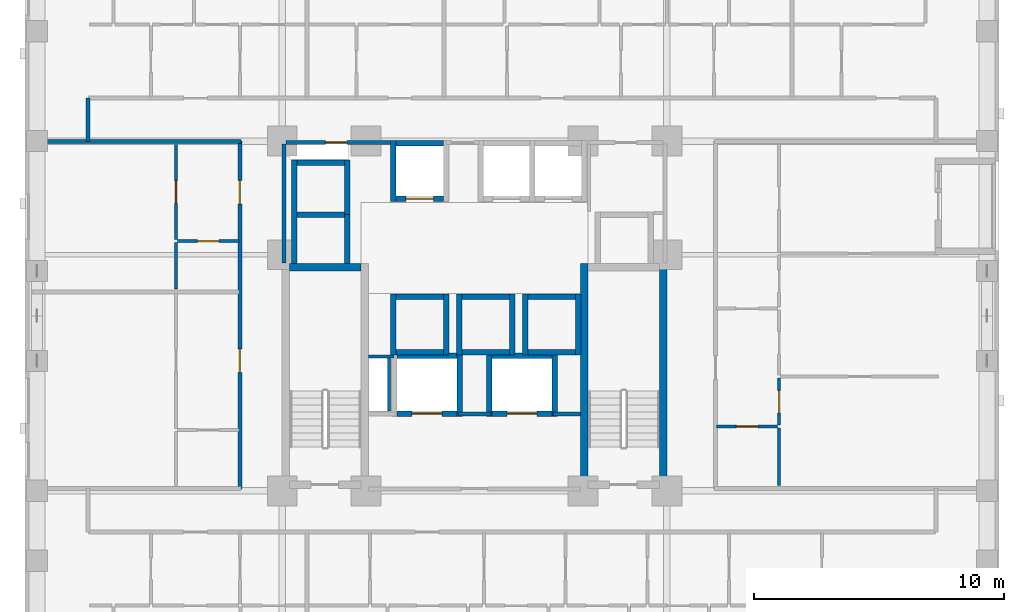
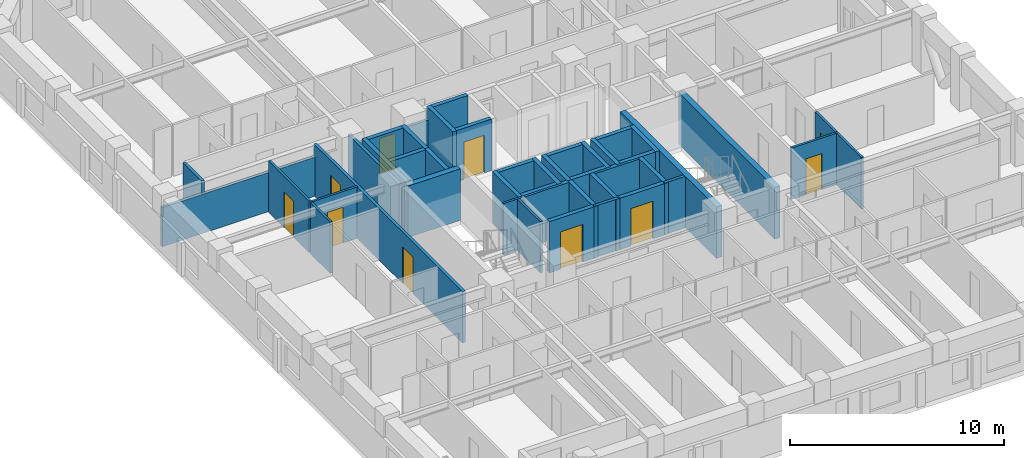
# One storey, part 5 of 14: 45 walls, 10 doors, 10 openings.
"""IFC4 building model written with IfcOpenShell, lengths in metres."""

from ifc_helpers import new_model, si_unit, derived_unit, direction, frame, frame_2d, origin, place, context, subcontext, project, spatial, rectangle, extrude, material, layer, layer_set, type_object, element, fill, save


model = new_model("IFC4")

# Units and contexts
model_context = context("Model", 3, precision=1e-05, world=origin(), true_north=direction((0.0, 1.0)))
body_context = subcontext(model_context, "Body", "Model", "MODEL_VIEW")
ifc_project = project(units=[si_unit("LENGTHUNIT", "METRE"), si_unit("AREAUNIT", "SQUARE_METRE"), si_unit("VOLUMEUNIT", "CUBIC_METRE"), si_unit("PLANEANGLEUNIT", "RADIAN"), si_unit("MASSUNIT", "GRAM", prefix="KILO"), derived_unit("THERMALTRANSMITTANCEUNIT", [(si_unit("MASSUNIT", "GRAM", prefix="KILO"), 1), (si_unit("TIMEUNIT", "SECOND"), -3), (si_unit("THERMODYNAMICTEMPERATUREUNIT", "KELVIN"), -1)])], contexts=[model_context])

# Site, building, storey
site_placement = place(None, origin())
site = spatial("IfcSite", under=ifc_project, at=site_placement, CompositionType="ELEMENT")
building_placement = place(site_placement, origin())
building = spatial("IfcBuilding", under=site, at=building_placement, Name="Korrvale Station Residences", CompositionType="ELEMENT")
storey_placement = place(building_placement, frame((0.0, 0.0, 64.199951171875)))
storey = spatial("IfcBuildingStorey", under=building, at=storey_placement, Name="L17", CompositionType="ELEMENT", Elevation=64.199951171875)

# Walls
ifc_material_1 = material(Name="Concrete C70/85", Category="concrete")
ifc_layer_1 = layer(ifc_material_1, 0.300048828125, Name="Concrete C70/85")
ifc_layer_set_1 = layer_set([ifc_layer_1], Name="Concrete C70/85")
wall_type_1 = type_object("IfcWallType", Name="WAL-CORE-300-C70", PredefinedType="SHEAR", material=ifc_layer_set_1)
wall_1_placement = place(storey_placement, frame((18.10009765625, 23.949951171875, 0.0), z_axis=(0.0, 0.0, 1.0), x_axis=(1.0, 0.0, 0.0)))
element("IfcWall", 1, at=wall_1_placement, inside=storey, type_object=wall_type_1, Name="L17 ST-1 Core Shear Wall North", PredefinedType="SHEAR", context=body_context, shape_type="SweptSolid", body=[
    extrude(rectangle(XDim=2.849853515625, YDim=0.300048828125, at=frame_2d((1.4248046875, 0.0))), origin(), (0.0, 0.0, 1.0), 2.93994140625),
])
for number, where, z_axis, x_axis, name in (
    (2, (29.89990234375, 15.10009765625, 0.0), (0.0, 0.0, 1.0), (0.0, 1.0, 0.0), "L17 ST-2 Core Shear Wall West"),
    (3, (33.050048828125, 15.10009765625, 0.0), (0.0, 0.0, 1.0), (0.0, 1.0, 0.0), "L17 ST-2 Core Shear Wall East"),
):
    element("IfcWall", number, at=place(storey_placement, frame(where, z_axis=z_axis, x_axis=x_axis)), inside=storey, type_object=wall_type_1, Name=name, PredefinedType="SHEAR", context=body_context, shape_type="SweptSolid", body=[
        extrude(rectangle(XDim=9.0, YDim=0.300048828125, at=frame_2d((4.5, 0.0))), origin(), (0.0, 0.0, 1.0), 2.93994140625),
    ])
ifc_material_2 = material(Name="Acoustic steel-stud gypsum board partition", Category="steel")
ifc_layer_2 = layer(ifc_material_2, 0.1201171875, Name="Acoustic steel-stud gypsum board partition")
ifc_layer_set_2 = layer_set([ifc_layer_2], Name="Acoustic steel-stud gypsum board partition")
wall_type_2 = type_object("IfcWallType", Name="WAL-PART-125", PredefinedType="PARTITIONING", material=ifc_layer_set_2)
wall_2_placement = place(storey_placement, frame((22.080078125, 18.199951171875, 0.0), z_axis=(0.0, 0.0, 1.0), x_axis=(0.0, 1.0, 0.0)))
element("IfcWall", 4, at=wall_2_placement, inside=storey, type_object=wall_type_2, Name="L17 Core Partition CW-RSWT", PredefinedType="PARTITIONING", context=body_context, shape_type="SweptSolid", body=[
    extrude(rectangle(XDim=2.1201171875, YDim=0.1201171875, at=frame_2d((1.06005859375, 0.0))), origin(), (0.0, 0.0, 1.0), 2.93994140625),
])
wall_3_placement = place(storey_placement, frame((22.280029296875, 20.3798828125, 0.0), z_axis=(0.0, 0.0, 1.0), x_axis=(-1.0, 0.0, 0.0)))
element("IfcWall", 5, at=wall_3_placement, inside=storey, type_object=wall_type_2, Name="L17 Core Partition CW-RSWT-N", PredefinedType="PARTITIONING", context=body_context, shape_type="SweptSolid", body=[
    extrude(rectangle(XDim=1.02001953125, YDim=0.1201171875, at=frame_2d((0.510009765625, 0.0))), origin(), (0.0, 0.0, 1.0), 2.93994140625),
])

# Wall, opening, door
wall_4_placement = place(storey_placement, frame((13.610107421875, 24.991943359375, 0.0), z_axis=(0.0, 0.0, 1.0), x_axis=(1.0, 0.0, 0.0)))
wall_4 = element("IfcWall", 6, at=wall_4_placement, inside=storey, type_object=wall_type_2, Name="L17 Suite Partition U08-H01", PredefinedType="PARTITIONING", context=body_context, shape_type="SweptSolid", body=[
    extrude(rectangle(XDim=2.449951171875, YDim=0.1201171875, at=frame_2d((1.22509765625, 0.0))), origin(), (0.0, 0.0, 1.0), 2.93994140625),
])
opening_1_placement = place(wall_4_placement, frame((0.794921875, 0.0, 0.0)))
opening_1 = element("IfcOpeningElement", 7, at=opening_1_placement, cuts=wall_4, Name="Opening DB-860", PredefinedType="OPENING", context=body_context, shape_type="SweptSolid", body=[
    extrude(rectangle(XDim=0.860107421875, YDim=2.050048828125, at=frame_2d((0.43017578125, 1.02490234375))), frame((0.0, 0.070068359375, 0.0), z_axis=(0.0, -1.0, 0.0), x_axis=(1.0, 0.0, 0.0)), (0.0, 0.0, 1.0), 0.14013671875),
])
ifc_material_3 = material(Name="Moisture-resistant solid-core bathroom door", Category="timber")
door_type_1 = type_object("IfcDoorType", Name="DR-BATH-860", OperationType="NOTDEFINED", PredefinedType="DOOR", material=ifc_material_3)
door_1_placement = place(opening_1_placement, origin())
door_1 = element("IfcDoor", 8, at=door_1_placement, inside=storey, type_object=door_type_1, Name="L17 Apartment 1BR L17-U08 Bathroom Door", OperationType="SINGLE_SWING_LEFT", OverallHeight=2.050048828125, OverallWidth=0.860107421875, PredefinedType="DOOR", context=body_context, shape_type="SweptSolid", body=[
    extrude(rectangle(XDim=0.860107421875, YDim=2.050048828125, at=frame_2d((0.43017578125, 1.02490234375))), frame((0.0, 0.02490234375, 0.0), z_axis=(0.0, -1.0, 0.0), x_axis=(1.0, 0.0, 0.0)), (0.0, 0.0, 1.0), 0.050048828125),
])
fill(opening_1, door_1)

# Wall
wall_5_placement = place(storey_placement, frame((13.550048828125, 23.08203125, 0.0), z_axis=(0.0, 0.0, 1.0), x_axis=(0.0, 1.0, 0.0)))
element("IfcWall", 9, at=wall_5_placement, inside=storey, type_object=wall_type_2, Name="L17 Suite Partition U08-V02", PredefinedType="PARTITIONING", context=body_context, shape_type="SweptSolid", body=[
    extrude(rectangle(XDim=1.849853515625, YDim=0.1201171875, at=frame_2d((0.9248046875, 0.0))), origin(), (0.0, 0.0, 1.0), 2.93994140625),
])

# Wall, opening, door
wall_6_placement = place(storey_placement, frame((13.550048828125, 25.052001953125, 0.0), z_axis=(0.0, 0.0, 1.0), x_axis=(0.0, 1.0, 0.0)))
wall_6 = element("IfcWall", 10, at=wall_6_placement, inside=storey, type_object=wall_type_2, Name="L17 Suite Partition U08-V12", PredefinedType="PARTITIONING", context=body_context, shape_type="SweptSolid", body=[
    extrude(rectangle(XDim=3.80810546875, YDim=0.1201171875, at=frame_2d((1.904052734375, 0.0))), origin(), (0.0, 0.0, 1.0), 2.93994140625),
])
opening_2_placement = place(wall_6_placement, frame((1.4541015625, 0.0, 0.0)))
opening_2 = element("IfcOpeningElement", 11, at=opening_2_placement, cuts=wall_6, Name="Opening DI-900", PredefinedType="OPENING", context=body_context, shape_type="SweptSolid", body=[
    extrude(rectangle(XDim=0.89990234375, YDim=2.050048828125, at=frame_2d((0.449951171875, 1.02490234375))), frame((0.0, 0.070068359375, 0.0), z_axis=(0.0, -1.0, 0.0), x_axis=(1.0, 0.0, 0.0)), (0.0, 0.0, 1.0), 0.14013671875),
])
ifc_material_4 = material(Name="Painted solid-core timber interior room door", Category="wood")
door_type_2 = type_object("IfcDoorType", Name="DR-INT-900", OperationType="NOTDEFINED", PredefinedType="DOOR", material=ifc_material_4)
door_2_placement = place(opening_2_placement, origin())
door_2 = element("IfcDoor", 12, at=door_2_placement, inside=storey, type_object=door_type_2, Name="L17 Apartment 1BR L17-U08 Kitchen Door", OperationType="SINGLE_SWING_RIGHT", OverallHeight=2.050048828125, OverallWidth=0.89990234375, PredefinedType="DOOR", context=body_context, shape_type="SweptSolid", body=[
    extrude(rectangle(XDim=0.89990234375, YDim=2.050048828125, at=frame_2d((0.449951171875, 1.02490234375))), frame((0.0, 0.02490234375, 0.0), z_axis=(0.0, -1.0, 0.0), x_axis=(1.0, 0.0, 0.0)), (0.0, 0.0, 1.0), 0.050048828125),
])
fill(opening_2, door_2)

wall_7_placement = place(storey_placement, frame((35.18994140625, 17.570068359375, 0.0), z_axis=(0.0, 0.0, 1.0), x_axis=(1.0, 0.0, 0.0)))
wall_7 = element("IfcWall", 13, at=wall_7_placement, inside=storey, type_object=wall_type_2, Name="L17 Suite Partition U09-H12", PredefinedType="PARTITIONING", context=body_context, shape_type="SweptSolid", body=[
    extrude(rectangle(XDim=2.449951171875, YDim=0.1201171875, at=frame_2d((1.22509765625, 0.0))), origin(), (0.0, 0.0, 1.0), 2.93994140625),
])
opening_3_placement = place(wall_7_placement, frame((0.794921875, 0.0, 0.0)))
opening_3 = element("IfcOpeningElement", 14, at=opening_3_placement, cuts=wall_7, Name="Opening DB-860", PredefinedType="OPENING", context=body_context, shape_type="SweptSolid", body=[
    extrude(rectangle(XDim=0.860107421875, YDim=2.050048828125, at=frame_2d((0.43017578125, 1.02490234375))), frame((0.0, 0.070068359375, 0.0), z_axis=(0.0, -1.0, 0.0), x_axis=(1.0, 0.0, 0.0)), (0.0, 0.0, 1.0), 0.14013671875),
])
door_3_placement = place(opening_3_placement, origin())
door_3 = element("IfcDoor", 15, at=door_3_placement, inside=storey, type_object=door_type_1, Name="L17 Apartment 2BR L17-U09 Bathroom Door", OperationType="SINGLE_SWING_RIGHT", OverallHeight=2.050048828125, OverallWidth=0.860107421875, PredefinedType="DOOR", context=body_context, shape_type="SweptSolid", body=[
    extrude(rectangle(XDim=0.860107421875, YDim=2.050048828125, at=frame_2d((0.43017578125, 1.02490234375))), frame((0.0, 0.02490234375, 0.0), z_axis=(0.0, -1.0, 0.0), x_axis=(1.0, 0.0, 0.0)), (0.0, 0.0, 1.0), 0.050048828125),
])
fill(opening_3, door_3)

# Wall
wall_8_placement = place(storey_placement, frame((37.699951171875, 15.2099609375, 0.0), z_axis=(0.0, 0.0, 1.0), x_axis=(0.0, 1.0, 0.0)))
element("IfcWall", 16, at=wall_8_placement, inside=storey, type_object=wall_type_2, Name="L17 Suite Partition U09-V13", PredefinedType="PARTITIONING", context=body_context, shape_type="SweptSolid", body=[
    extrude(rectangle(XDim=2.300048828125, YDim=0.1201171875, at=frame_2d((1.14990234375, 0.0))), origin(), (0.0, 0.0, 1.0), 2.93994140625),
])

# Wall, opening, door
wall_9_placement = place(storey_placement, frame((37.699951171875, 17.6298828125, 0.0), z_axis=(0.0, 0.0, 1.0), x_axis=(0.0, 1.0, 0.0)))
wall_9 = element("IfcWall", 17, at=wall_9_placement, inside=storey, type_object=wall_type_2, Name="L17 Suite Partition U09-V23", PredefinedType="PARTITIONING", context=body_context, shape_type="SweptSolid", body=[
    extrude(rectangle(XDim=1.88818359375, YDim=0.1201171875, at=frame_2d((0.944091796875, 0.0))), origin(), (0.0, 0.0, 1.0), 2.93994140625),
])
opening_4_placement = place(wall_9_placement, frame((0.493896484375, 0.0, 0.0)))
opening_4 = element("IfcOpeningElement", 18, at=opening_4_placement, cuts=wall_9, Name="Opening DI-900", PredefinedType="OPENING", context=body_context, shape_type="SweptSolid", body=[
    extrude(rectangle(XDim=0.89990234375, YDim=2.050048828125, at=frame_2d((0.449951171875, 1.02490234375))), frame((0.0, 0.070068359375, 0.0), z_axis=(0.0, -1.0, 0.0), x_axis=(1.0, 0.0, 0.0)), (0.0, 0.0, 1.0), 0.14013671875),
])
door_4_placement = place(opening_4_placement, origin())
door_4 = element("IfcDoor", 19, at=door_4_placement, inside=storey, type_object=door_type_2, Name="L17 Apartment 2BR L17-U09 Kitchen Door", OperationType="SINGLE_SWING_LEFT", OverallHeight=2.050048828125, OverallWidth=0.89990234375, PredefinedType="DOOR", context=body_context, shape_type="SweptSolid", body=[
    extrude(rectangle(XDim=0.89990234375, YDim=2.050048828125, at=frame_2d((0.449951171875, 1.02490234375))), frame((0.0, 0.02490234375, 0.0), z_axis=(0.0, -1.0, 0.0), x_axis=(1.0, 0.0, 0.0)), (0.0, 0.0, 1.0), 0.050048828125),
])
fill(opening_4, door_4)

# Walls
ifc_material_5 = material(Name="Fire-rated twin-stud gypsum and mineral wool shaftwall assembly", Category="gypsum")
ifc_layer_3 = layer(ifc_material_5, 0.159912109375, Name="Fire-rated twin-stud gypsum and mineral wool shaftwall assembly")
ifc_layer_set_3 = layer_set([ifc_layer_3], Name="Fire-rated twin-stud gypsum and mineral wool shaftwall assembly")
wall_type_3 = type_object("IfcWallType", Name="WAL-PART-200", PredefinedType="PARTITIONING", material=ifc_layer_set_3)
wall_10_placement = place(storey_placement, frame((24.85009765625, 18.080078125, 0.0), z_axis=(0.0, 0.0, 1.0), x_axis=(1.0, 0.0, 0.0)))
element("IfcWall", 20, at=wall_10_placement, inside=storey, type_object=wall_type_3, Name="L17 Core Partition CW-FFL-N2", PredefinedType="PARTITIONING", context=body_context, shape_type="SweptSolid", body=[
    extrude(rectangle(XDim=1.2998046875, YDim=0.159912109375, at=frame_2d((0.64990234375, 0.0))), origin(), (0.0, 0.0, 1.0), 2.93994140625),
])
wall_11_placement = place(storey_placement, frame((28.64990234375, 18.080078125, 0.0), z_axis=(0.0, 0.0, 1.0), x_axis=(1.0, 0.0, 0.0)))
element("IfcWall", 21, at=wall_11_placement, inside=storey, type_object=wall_type_3, Name="L17 Core Partition CW-FFL-N3", PredefinedType="PARTITIONING", context=body_context, shape_type="SweptSolid", body=[
    extrude(rectangle(XDim=1.10009765625, YDim=0.159912109375, at=frame_2d((0.550048828125, 0.0))), origin(), (0.0, 0.0, 1.0), 2.93994140625),
])
wall_12_placement = place(storey_placement, frame((17.8798828125, 24.1201171875, 0.0), z_axis=(0.0, 0.0, 1.0), x_axis=(0.0, 1.0, 0.0)))
element("IfcWall", 22, at=wall_12_placement, inside=storey, type_object=wall_type_3, Name="L17 Core Partition CW-W-N", PredefinedType="PARTITIONING", context=body_context, shape_type="SweptSolid", body=[
    extrude(rectangle(XDim=4.759765625, YDim=0.159912109375, at=frame_2d((2.3798828125, 0.0))), origin(), (0.0, 0.0, 1.0), 2.93994140625),
])

# Wall, opening, door
wall_13_placement = place(storey_placement, frame((17.9599609375, 28.949951171875, 0.0), z_axis=(0.0, 0.0, 1.0), x_axis=(1.0, 0.0, 0.0)))
wall_13 = element("IfcWall", 23, at=wall_13_placement, inside=storey, type_object=wall_type_3, Name="L17 Core Partition CW-NW", PredefinedType="PARTITIONING", context=body_context, shape_type="SweptSolid", body=[
    extrude(rectangle(XDim=4.2900390625, YDim=0.159912109375, at=frame_2d((2.14501953125, 0.0))), origin(), (0.0, 0.0, 1.0), 2.23193359375),
])
opening_5_placement = place(wall_13_placement, frame((1.570068359375, 0.0, 0.0)))
opening_5 = element("IfcOpeningElement", 24, at=opening_5_placement, cuts=wall_13, Name="Opening DB-860", PredefinedType="OPENING", context=body_context, shape_type="SweptSolid", body=[
    extrude(rectangle(XDim=0.860107421875, YDim=2.050048828125, at=frame_2d((0.43017578125, 1.02490234375))), frame((0.0, 0.08984375, 0.0), z_axis=(0.0, -1.0, 0.0), x_axis=(1.0, 0.0, 0.0)), (0.0, 0.0, 1.0), 0.179931640625),
])
door_5_placement = place(opening_5_placement, origin())
door_5 = element("IfcDoor", 25, at=door_5_placement, inside=storey, type_object=door_type_1, Name="L17 Electrical Riser Access Door", OperationType="SINGLE_SWING_RIGHT", OverallHeight=2.050048828125, OverallWidth=0.860107421875, PredefinedType="DOOR", context=body_context, shape_type="SweptSolid", body=[
    extrude(rectangle(XDim=0.860107421875, YDim=2.050048828125, at=frame_2d((0.43017578125, 1.02490234375))), frame((0.0, 0.02490234375, 0.0), z_axis=(0.0, -1.0, 0.0), x_axis=(1.0, 0.0, 0.0)), (0.0, 0.0, 1.0), 0.050048828125),
])
fill(opening_5, door_5)

# Walls
wall_14_placement = place(storey_placement, frame((10.02001953125, 28.97998046875, 0.0), z_axis=(0.0, 0.0, 1.0), x_axis=(0.0, 1.0, 0.0)))
element("IfcWall", 26, at=wall_14_placement, inside=storey, type_object=wall_type_3, Name="L17 Corridor North West Cap", PredefinedType="PARTITIONING", context=body_context, shape_type="SweptSolid", body=[
    extrude(rectangle(XDim=1.739990234375, YDim=0.159912109375, at=frame_2d((0.8701171875, 0.0))), origin(), (0.0, 0.0, 1.0), 2.93994140625),
])
wall_15_placement = place(storey_placement, frame((7.780029296875, 28.97998046875, 0.0), z_axis=(0.0, 0.0, 1.0), x_axis=(1.0, 0.0, 0.0)))
element("IfcWall", 27, at=wall_15_placement, inside=storey, type_object=wall_type_3, Name="L17 West Wing North Corridor Wall", PredefinedType="PARTITIONING", context=body_context, shape_type="SweptSolid", body=[
    extrude(rectangle(XDim=8.35986328125, YDim=0.159912109375, at=frame_2d((4.179931640625, 0.0))), origin(), (0.0, 0.0, 1.0), 2.23193359375),
])

# Wall, openings, doors
wall_16_placement = place(storey_placement, frame((16.10009765625, 15.070068359375, 0.0), z_axis=(0.0, 0.0, 1.0), x_axis=(0.0, 1.0, 0.0)))
wall_16 = element("IfcWall", 28, at=wall_16_placement, inside=storey, type_object=wall_type_3, Name="L17 Rated Corridor Wall W", PredefinedType="PARTITIONING", context=body_context, shape_type="SweptSolid", body=[
    extrude(rectangle(XDim=13.929931640625, YDim=0.159912109375, at=frame_2d((6.96484375, 0.0))), origin(), (0.0, 0.0, 1.0), 2.93994140625),
])
opening_6_placement = place(wall_16_placement, frame((4.660888671875, 0.0, 0.0)))
opening_6 = element("IfcOpeningElement", 29, at=opening_6_placement, cuts=wall_16, Name="Opening UD-950", PredefinedType="OPENING", context=body_context, shape_type="SweptSolid", body=[
    extrude(rectangle(XDim=0.949951171875, YDim=2.10009765625, at=frame_2d((0.47509765625, 1.050048828125))), frame((0.0, 0.08984375, 0.0), z_axis=(0.0, -1.0, 0.0), x_axis=(1.0, 0.0, 0.0)), (0.0, 0.0, 1.0), 0.179931640625),
])
opening_7_placement = place(wall_16_placement, frame((11.410888671875, 0.0, 0.0)))
opening_7 = element("IfcOpeningElement", 30, at=opening_7_placement, cuts=wall_16, Name="Opening UD-950", PredefinedType="OPENING", context=body_context, shape_type="SweptSolid", body=[
    extrude(rectangle(XDim=0.949951171875, YDim=2.10009765625, at=frame_2d((0.47509765625, 1.050048828125))), frame((0.0, 0.08984375, 0.0), z_axis=(0.0, -1.0, 0.0), x_axis=(1.0, 0.0, 0.0)), (0.0, 0.0, 1.0), 0.179931640625),
])
ifc_material_6 = material(Name="Solid-core acoustic oak apartment entrance door", Category="timber")
door_type_3 = type_object("IfcDoorType", Name="DR-UNIT-950", OperationType="NOTDEFINED", PredefinedType="DOOR", material=ifc_material_6)
door_6_placement = place(opening_6_placement, origin())
door_6 = element("IfcDoor", 31, at=door_6_placement, inside=storey, type_object=door_type_3, Name="L17 Apartment L17-U07 Entrance Door", OperationType="SINGLE_SWING_LEFT", OverallHeight=2.10009765625, OverallWidth=0.949951171875, PredefinedType="DOOR", context=body_context, shape_type="SweptSolid", body=[
    extrude(rectangle(XDim=0.949951171875, YDim=2.10009765625, at=frame_2d((0.47509765625, 1.050048828125))), frame((0.0, 0.02490234375, 0.0), z_axis=(0.0, -1.0, 0.0), x_axis=(1.0, 0.0, 0.0)), (0.0, 0.0, 1.0), 0.050048828125),
])
fill(opening_6, door_6)
door_7_placement = place(opening_7_placement, origin())
door_7 = element("IfcDoor", 32, at=door_7_placement, inside=storey, type_object=door_type_3, Name="L17 Apartment L17-U08 Entrance Door", OperationType="SINGLE_SWING_RIGHT", OverallHeight=2.10009765625, OverallWidth=0.949951171875, PredefinedType="DOOR", context=body_context, shape_type="SweptSolid", body=[
    extrude(rectangle(XDim=0.949951171875, YDim=2.10009765625, at=frame_2d((0.47509765625, 1.050048828125))), frame((0.0, 0.02490234375, 0.0), z_axis=(0.0, -1.0, 0.0), x_axis=(1.0, 0.0, 0.0)), (0.0, 0.0, 1.0), 0.050048828125),
])
fill(opening_7, door_7)

# Wall, opening, door
ifc_layer_4 = layer(ifc_material_1, 0.219970703125, Name="Concrete C70/85")
ifc_layer_set_4 = layer_set([ifc_layer_4], Name="Concrete C70/85")
wall_type_4 = type_object("IfcWallType", Name="WAL-SHAFT-220-C70", PredefinedType="SHEAR", material=ifc_layer_set_4)
wall_17_placement = place(storey_placement, frame((22.35009765625, 26.68994140625, 0.0), z_axis=(0.0, 0.0, 1.0), x_axis=(1.0, 0.0, 0.0)))
wall_17 = element("IfcWall", 33, at=wall_17_placement, inside=storey, type_object=wall_type_4, Name="L17 Elevator PL-1 Hoistway Wall South", PredefinedType="SHEAR", context=body_context, shape_type="SweptSolid", body=[
    extrude(rectangle(XDim=1.89990234375, YDim=0.219970703125, at=frame_2d((0.949951171875, 0.0))), origin(), (0.0, 0.0, 1.0), 2.93994140625),
])
opening_8_placement = place(wall_17_placement, frame((0.39990234375, 0.0, 0.0)))
opening_8 = element("IfcOpeningElement", 34, at=opening_8_placement, cuts=wall_17, Name="Opening LD-1100", PredefinedType="OPENING", context=body_context, shape_type="SweptSolid", body=[
    extrude(rectangle(XDim=1.10009765625, YDim=2.14990234375, at=frame_2d((0.550048828125, 1.074951171875))), frame((0.0, 0.1201171875, 0.0), z_axis=(0.0, -1.0, 0.0), x_axis=(1.0, 0.0, 0.0)), (0.0, 0.0, 1.0), 0.239990234375),
])
ifc_material_7 = material(Name="Brushed stainless-steel elevator landing sliding door", Category="steel")
door_type_4 = type_object("IfcDoorType", Name="DR-LIFT-1100", OperationType="SLIDING_TO_LEFT", PredefinedType="DOOR", material=ifc_material_7)
door_8_placement = place(opening_8_placement, origin())
door_8 = element("IfcDoor", 35, at=door_8_placement, inside=storey, type_object=door_type_4, Name="L17 Elevator PL-1 Sliding Landing Door", OperationType="SLIDING_TO_LEFT", OverallHeight=2.14990234375, OverallWidth=1.10009765625, PredefinedType="DOOR", context=body_context, shape_type="SweptSolid", body=[
    extrude(rectangle(XDim=1.10009765625, YDim=2.14990234375, at=frame_2d((0.550048828125, 1.074951171875))), frame((0.0, 0.02490234375, 0.0), z_axis=(0.0, -1.0, 0.0), x_axis=(1.0, 0.0, 0.0)), (0.0, 0.0, 1.0), 0.050048828125),
])
fill(opening_8, door_8)

# Walls
wall_18_placement = place(storey_placement, frame((22.35009765625, 28.909912109375, 0.0), z_axis=(0.0, 0.0, 1.0), x_axis=(1.0, 0.0, 0.0)))
element("IfcWall", 36, at=wall_18_placement, inside=storey, type_object=wall_type_4, Name="L17 Elevator PL-1 Hoistway Wall North", PredefinedType="SHEAR", context=body_context, shape_type="SweptSolid", body=[
    extrude(rectangle(XDim=1.89990234375, YDim=0.219970703125, at=frame_2d((0.949951171875, 0.0))), origin(), (0.0, 0.0, 1.0), 2.93994140625),
])
wall_19_placement = place(storey_placement, frame((22.239990234375, 26.580078125, 0.0), z_axis=(0.0, 0.0, 1.0), x_axis=(0.0, 1.0, 0.0)))
element("IfcWall", 37, at=wall_19_placement, inside=storey, type_object=wall_type_4, Name="L17 Elevator PL-1 Hoistway Wall West", PredefinedType="SHEAR", context=body_context, shape_type="SweptSolid", body=[
    extrude(rectangle(XDim=2.43994140625, YDim=0.219970703125, at=frame_2d((1.219970703125, 0.0))), origin(), (0.0, 0.0, 1.0), 2.93994140625),
])
for number, where, z_axis, x_axis, name in (
    (38, (22.35009765625, 20.5400390625, 0.0), (0.0, 0.0, 1.0), (1.0, 0.0, 0.0), "L17 Elevator PM-1 Hoistway Wall South"),
    (39, (22.35009765625, 22.760009765625, 0.0), (0.0, 0.0, 1.0), (1.0, 0.0, 0.0), "L17 Elevator PM-1 Hoistway Wall North"),
):
    element("IfcWall", number, at=place(storey_placement, frame(where, z_axis=z_axis, x_axis=x_axis)), inside=storey, type_object=wall_type_4, Name=name, PredefinedType="SHEAR", context=body_context, shape_type="SweptSolid", body=[
        extrude(rectangle(XDim=1.89990234375, YDim=0.219970703125, at=frame_2d((0.949951171875, 0.0))), origin(), (0.0, 0.0, 1.0), 2.93994140625),
    ])
for number, where, z_axis, x_axis, name in (
    (40, (22.239990234375, 20.429931640625, 0.0), (0.0, 0.0, 1.0), (0.0, 1.0, 0.0), "L17 Elevator PM-1 Hoistway Wall West"),
    (41, (24.360107421875, 20.429931640625, 0.0), (0.0, 0.0, 1.0), (0.0, 1.0, 0.0), "L17 Elevator PM-1 Hoistway Wall East"),
):
    element("IfcWall", number, at=place(storey_placement, frame(where, z_axis=z_axis, x_axis=x_axis)), inside=storey, type_object=wall_type_4, Name=name, PredefinedType="SHEAR", context=body_context, shape_type="SweptSolid", body=[
        extrude(rectangle(XDim=2.440185546875, YDim=0.219970703125, at=frame_2d((1.22021484375, 0.0))), origin(), (0.0, 0.0, 1.0), 2.93994140625),
    ])
for number, where, z_axis, x_axis, name in (
    (42, (25.0, 20.5400390625, 0.0), (0.0, 0.0, 1.0), (1.0, 0.0, 0.0), "L17 Elevator PM-2 Hoistway Wall South"),
    (43, (25.0, 22.760009765625, 0.0), (0.0, 0.0, 1.0), (1.0, 0.0, 0.0), "L17 Elevator PM-2 Hoistway Wall North"),
):
    element("IfcWall", number, at=place(storey_placement, frame(where, z_axis=z_axis, x_axis=x_axis)), inside=storey, type_object=wall_type_4, Name=name, PredefinedType="SHEAR", context=body_context, shape_type="SweptSolid", body=[
        extrude(rectangle(XDim=1.89990234375, YDim=0.219970703125, at=frame_2d((0.949951171875, 0.0))), origin(), (0.0, 0.0, 1.0), 2.93994140625),
    ])
for number, where, z_axis, x_axis, name in (
    (44, (24.889892578125, 20.429931640625, 0.0), (0.0, 0.0, 1.0), (0.0, 1.0, 0.0), "L17 Elevator PM-2 Hoistway Wall West"),
    (45, (27.010009765625, 20.429931640625, 0.0), (0.0, 0.0, 1.0), (0.0, 1.0, 0.0), "L17 Elevator PM-2 Hoistway Wall East"),
):
    element("IfcWall", number, at=place(storey_placement, frame(where, z_axis=z_axis, x_axis=x_axis)), inside=storey, type_object=wall_type_4, Name=name, PredefinedType="SHEAR", context=body_context, shape_type="SweptSolid", body=[
        extrude(rectangle(XDim=2.440185546875, YDim=0.219970703125, at=frame_2d((1.22021484375, 0.0))), origin(), (0.0, 0.0, 1.0), 2.93994140625),
    ])
for number, where, z_axis, x_axis, name in (
    (46, (27.64990234375, 20.5400390625, 0.0), (0.0, 0.0, 1.0), (1.0, 0.0, 0.0), "L17 Elevator PM-3 Hoistway Wall South"),
    (47, (27.64990234375, 22.760009765625, 0.0), (0.0, 0.0, 1.0), (1.0, 0.0, 0.0), "L17 Elevator PM-3 Hoistway Wall North"),
):
    element("IfcWall", number, at=place(storey_placement, frame(where, z_axis=z_axis, x_axis=x_axis)), inside=storey, type_object=wall_type_4, Name=name, PredefinedType="SHEAR", context=body_context, shape_type="SweptSolid", body=[
        extrude(rectangle(XDim=1.900146484375, YDim=0.219970703125, at=frame_2d((0.9501953125, 0.0))), origin(), (0.0, 0.0, 1.0), 2.93994140625),
    ])
for number, where, z_axis, x_axis, name in (
    (48, (27.5400390625, 20.429931640625, 0.0), (0.0, 0.0, 1.0), (0.0, 1.0, 0.0), "L17 Elevator PM-3 Hoistway Wall West"),
    (49, (29.659912109375, 20.429931640625, 0.0), (0.0, 0.0, 1.0), (0.0, 1.0, 0.0), "L17 Elevator PM-3 Hoistway Wall East"),
):
    element("IfcWall", number, at=place(storey_placement, frame(where, z_axis=z_axis, x_axis=x_axis)), inside=storey, type_object=wall_type_4, Name=name, PredefinedType="SHEAR", context=body_context, shape_type="SweptSolid", body=[
        extrude(rectangle(XDim=2.440185546875, YDim=0.219970703125, at=frame_2d((1.22021484375, 0.0))), origin(), (0.0, 0.0, 1.0), 2.93994140625),
    ])
wall_20_placement = place(storey_placement, frame((18.2900390625, 24.10009765625, 0.0), z_axis=(0.0, 0.0, 1.0), x_axis=(0.0, 1.0, 0.0)))
element("IfcWall", 50, at=wall_20_placement, inside=storey, type_object=wall_type_4, Name="L17 Elevator PH-1 Hoistway Wall West", PredefinedType="SHEAR", context=body_context, shape_type="SweptSolid", body=[
    extrude(rectangle(XDim=4.139892578125, YDim=0.219970703125, at=frame_2d((2.06982421875, 0.0))), origin(), (0.0, 0.0, 1.0), 2.93994140625),
])
wall_21_placement = place(storey_placement, frame((20.409912109375, 24.10009765625, 0.0), z_axis=(0.0, 0.0, 1.0), x_axis=(0.0, 1.0, 0.0)))
element("IfcWall", 51, at=wall_21_placement, inside=storey, type_object=wall_type_4, Name="L17 Elevator PH-1 Hoistway Wall East", PredefinedType="SHEAR", context=body_context, shape_type="SweptSolid", body=[
    extrude(rectangle(XDim=1.9599609375, YDim=0.219970703125, at=frame_2d((0.97998046875, 0.0))), origin(), (0.0, 0.0, 1.0), 2.93994140625),
])
for number, where, z_axis, x_axis, name in (
    (52, (18.39990234375, 26.06005859375, 0.0), (0.0, 0.0, 1.0), (1.0, 0.0, 0.0), "L17 Elevator PH-2 Hoistway Wall South"),
    (53, (18.39990234375, 28.1298828125, 0.0), (0.0, 0.0, 1.0), (1.0, 0.0, 0.0), "L17 Elevator PH-2 Hoistway Wall North"),
):
    element("IfcWall", number, at=place(storey_placement, frame(where, z_axis=z_axis, x_axis=x_axis)), inside=storey, type_object=wall_type_4, Name=name, PredefinedType="SHEAR", context=body_context, shape_type="SweptSolid", body=[
        extrude(rectangle(XDim=1.900146484375, YDim=0.219970703125, at=frame_2d((0.9501953125, 0.0))), origin(), (0.0, 0.0, 1.0), 2.93994140625),
    ])
wall_22_placement = place(storey_placement, frame((20.409912109375, 26.06005859375, 0.0), z_axis=(0.0, 0.0, 1.0), x_axis=(0.0, 1.0, 0.0)))
element("IfcWall", 54, at=wall_22_placement, inside=storey, type_object=wall_type_4, Name="L17 Elevator PH-2 Hoistway Wall East", PredefinedType="SHEAR", context=body_context, shape_type="SweptSolid", body=[
    extrude(rectangle(XDim=2.179931640625, YDim=0.219970703125, at=frame_2d((1.08984375, 0.0))), origin(), (0.0, 0.0, 1.0), 2.93994140625),
])

# Wall, opening, door
wall_23_placement = place(storey_placement, frame((22.39990234375, 18.090087890625, 0.0), z_axis=(0.0, 0.0, 1.0), x_axis=(1.0, 0.0, 0.0)))
wall_23 = element("IfcWall", 55, at=wall_23_placement, inside=storey, type_object=wall_type_4, Name="L17 Elevator FFL-1 Hoistway Wall South", PredefinedType="SHEAR", context=body_context, shape_type="SweptSolid", body=[
    extrude(rectangle(XDim=2.400146484375, YDim=0.219970703125, at=frame_2d((1.2001953125, 0.0))), origin(), (0.0, 0.0, 1.0), 2.93994140625),
])
opening_9_placement = place(wall_23_placement, frame((0.60009765625, 0.0, 0.0)))
opening_9 = element("IfcOpeningElement", 56, at=opening_9_placement, cuts=wall_23, Name="Opening LD-FF1200", PredefinedType="OPENING", context=body_context, shape_type="SweptSolid", body=[
    extrude(rectangle(XDim=1.199951171875, YDim=2.14990234375, at=frame_2d((0.60009765625, 1.074951171875))), frame((0.0, 0.1201171875, 0.0), z_axis=(0.0, -1.0, 0.0), x_axis=(1.0, 0.0, 0.0)), (0.0, 0.0, 1.0), 0.239990234375),
])
ifc_material_8 = material(Name="Stainless-steel firefighter elevator landing sliding door", Category="steel")
door_type_5 = type_object("IfcDoorType", Name="DR-LIFT-FF1200", OperationType="SLIDING_TO_LEFT", PredefinedType="DOOR", material=ifc_material_8)
door_9_placement = place(opening_9_placement, origin())
door_9 = element("IfcDoor", 57, at=door_9_placement, inside=storey, type_object=door_type_5, Name="L17 Elevator FFL-1 Sliding Landing Door", OperationType="SLIDING_TO_LEFT", OverallHeight=2.14990234375, OverallWidth=1.199951171875, PredefinedType="DOOR", context=body_context, shape_type="SweptSolid", body=[
    extrude(rectangle(XDim=1.199951171875, YDim=2.14990234375, at=frame_2d((0.60009765625, 1.074951171875))), frame((0.0, 0.02490234375, 0.0), z_axis=(0.0, -1.0, 0.0), x_axis=(1.0, 0.0, 0.0)), (0.0, 0.0, 1.0), 0.050048828125),
])
fill(opening_9, door_9)

# Walls
wall_24_placement = place(storey_placement, frame((22.39990234375, 20.409912109375, 0.0), z_axis=(0.0, 0.0, 1.0), x_axis=(1.0, 0.0, 0.0)))
element("IfcWall", 58, at=wall_24_placement, inside=storey, type_object=wall_type_4, Name="L17 Elevator FFL-1 Hoistway Wall North", PredefinedType="SHEAR", context=body_context, shape_type="SweptSolid", body=[
    extrude(rectangle(XDim=2.400146484375, YDim=0.219970703125, at=frame_2d((1.2001953125, 0.0))), origin(), (0.0, 0.0, 1.0), 2.93994140625),
])
wall_25_placement = place(storey_placement, frame((24.909912109375, 17.97998046875, 0.0), z_axis=(0.0, 0.0, 1.0), x_axis=(0.0, 1.0, 0.0)))
element("IfcWall", 59, at=wall_25_placement, inside=storey, type_object=wall_type_4, Name="L17 Elevator FFL-1 Hoistway Wall East", PredefinedType="SHEAR", context=body_context, shape_type="SweptSolid", body=[
    extrude(rectangle(XDim=2.5400390625, YDim=0.219970703125, at=frame_2d((1.27001953125, 0.0))), origin(), (0.0, 0.0, 1.0), 2.93994140625),
])

# Wall, opening, door
wall_26_placement = place(storey_placement, frame((26.199951171875, 18.090087890625, 0.0), z_axis=(0.0, 0.0, 1.0), x_axis=(1.0, 0.0, 0.0)))
wall_26 = element("IfcWall", 60, at=wall_26_placement, inside=storey, type_object=wall_type_4, Name="L17 Elevator FFL-2 Hoistway Wall South", PredefinedType="SHEAR", context=body_context, shape_type="SweptSolid", body=[
    extrude(rectangle(XDim=2.400146484375, YDim=0.219970703125, at=frame_2d((1.2001953125, 0.0))), origin(), (0.0, 0.0, 1.0), 2.93994140625),
])
opening_10_placement = place(wall_26_placement, frame((0.60009765625, 0.0, 0.0)))
opening_10 = element("IfcOpeningElement", 61, at=opening_10_placement, cuts=wall_26, Name="Opening LD-FF1200", PredefinedType="OPENING", context=body_context, shape_type="SweptSolid", body=[
    extrude(rectangle(XDim=1.199951171875, YDim=2.14990234375, at=frame_2d((0.60009765625, 1.074951171875))), frame((0.0, 0.1201171875, 0.0), z_axis=(0.0, -1.0, 0.0), x_axis=(1.0, 0.0, 0.0)), (0.0, 0.0, 1.0), 0.239990234375),
])
door_10_placement = place(opening_10_placement, origin())
door_10 = element("IfcDoor", 62, at=door_10_placement, inside=storey, type_object=door_type_5, Name="L17 Elevator FFL-2 Sliding Landing Door", OperationType="SLIDING_TO_LEFT", OverallHeight=2.14990234375, OverallWidth=1.199951171875, PredefinedType="DOOR", context=body_context, shape_type="SweptSolid", body=[
    extrude(rectangle(XDim=1.199951171875, YDim=2.14990234375, at=frame_2d((0.60009765625, 1.074951171875))), frame((0.0, 0.02490234375, 0.0), z_axis=(0.0, -1.0, 0.0), x_axis=(1.0, 0.0, 0.0)), (0.0, 0.0, 1.0), 0.050048828125),
])
fill(opening_10, door_10)

# Walls
wall_27_placement = place(storey_placement, frame((26.199951171875, 20.409912109375, 0.0), z_axis=(0.0, 0.0, 1.0), x_axis=(1.0, 0.0, 0.0)))
element("IfcWall", 63, at=wall_27_placement, inside=storey, type_object=wall_type_4, Name="L17 Elevator FFL-2 Hoistway Wall North", PredefinedType="SHEAR", context=body_context, shape_type="SweptSolid", body=[
    extrude(rectangle(XDim=2.400146484375, YDim=0.219970703125, at=frame_2d((1.2001953125, 0.0))), origin(), (0.0, 0.0, 1.0), 2.93994140625),
])
for number, where, z_axis, x_axis, name in (
    (64, (26.090087890625, 17.97998046875, 0.0), (0.0, 0.0, 1.0), (0.0, 1.0, 0.0), "L17 Elevator FFL-2 Hoistway Wall West"),
    (65, (28.7099609375, 17.97998046875, 0.0), (0.0, 0.0, 1.0), (0.0, 1.0, 0.0), "L17 Elevator FFL-2 Hoistway Wall East"),
):
    element("IfcWall", number, at=place(storey_placement, frame(where, z_axis=z_axis, x_axis=x_axis)), inside=storey, type_object=wall_type_4, Name=name, PredefinedType="SHEAR", context=body_context, shape_type="SweptSolid", body=[
        extrude(rectangle(XDim=2.5400390625, YDim=0.219970703125, at=frame_2d((1.27001953125, 0.0))), origin(), (0.0, 0.0, 1.0), 2.93994140625),
    ])

save(model, "model.ifc")
